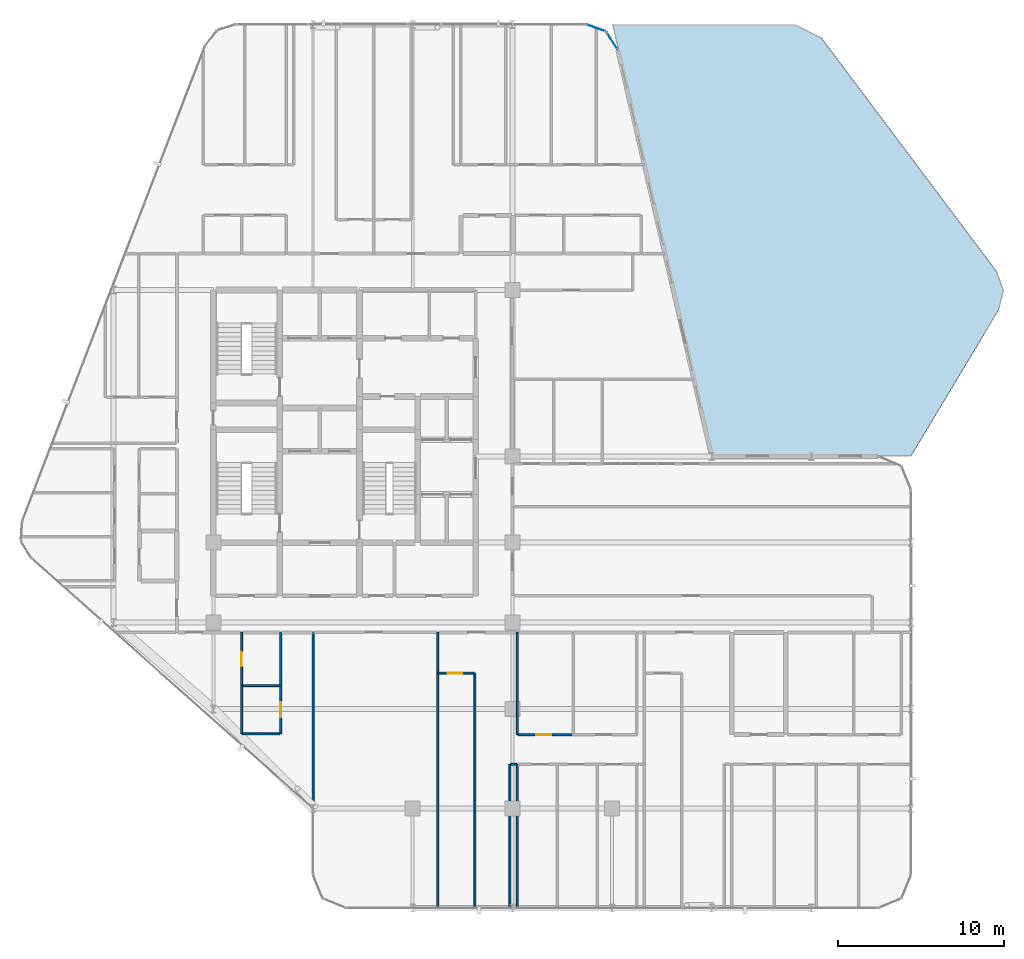
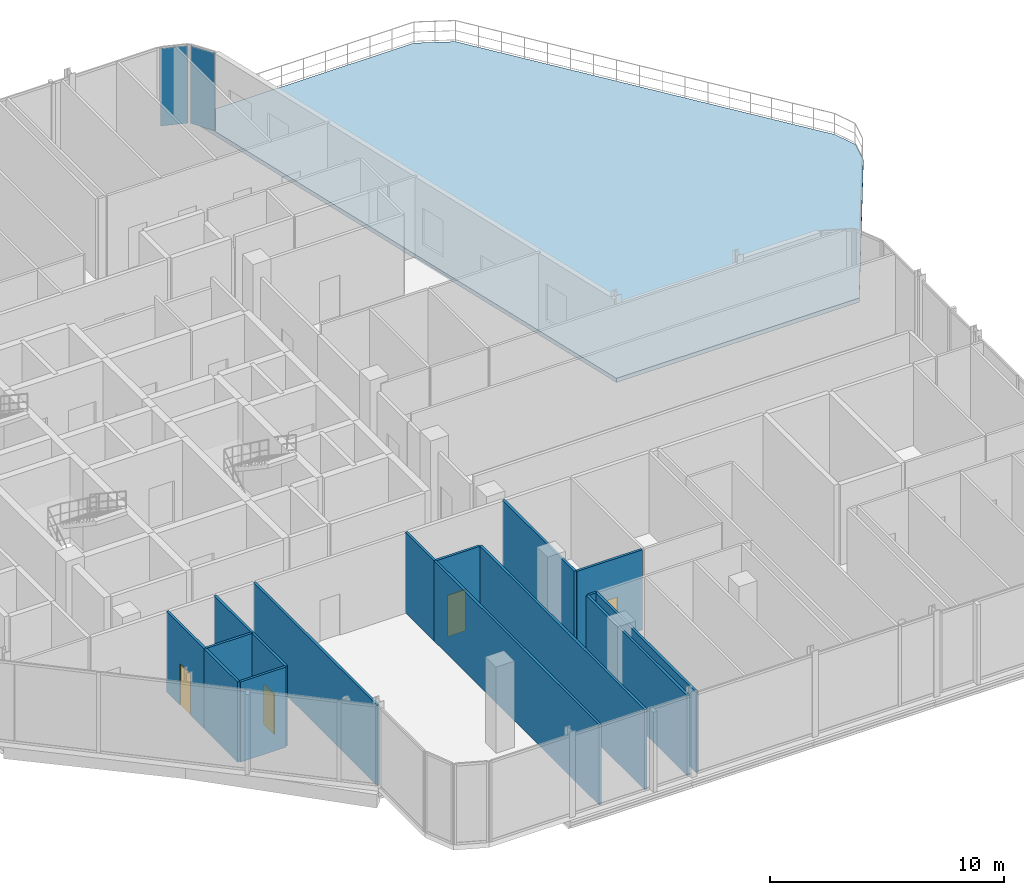
# One storey, part 20 of 28: 16 walls, 4 doors, 2 plates, 1 slab, 4 openings, 2 elements without a shape of their own.
"""IFC4 building model written with IfcOpenShell, lengths in metres."""

import ifcopenshell
import ifcopenshell.guid

model = None  # the IFC model being written
_history = None  # IfcOwnerHistory: only IFC2X3 demands one
_inside = {}  # id of a spatial element -> (the spatial element, [elements in it])
_under = {}  # id of a project, library or spatial element -> (it, [spatial elements below it])
_declared = {}  # id of a project -> (the project, [libraries it declares])
_typed = {}  # id of a type object -> (the type object, [elements of that type])
_made_of = {}  # id of a material, layer set ... -> (it, [elements and type objects made of it])


def new_model(schema):
    """Start an empty IFC model of exactly this schema.

    Asked for "IFC4X3", IfcOpenShell would pick the latest addendum, in which some entities
    have other attributes; the version numbers below select the first issue.
    IFC2X3 requires an IfcOwnerHistory on every rooted entity: one is made here for all.
    """
    global model, _history
    if schema == "IFC4X3":
        model = ifcopenshell.file(schema_version=(4, 3, 0, 0))
    else:
        model = ifcopenshell.file(schema=schema)
    _inside.clear()
    _under.clear()
    _declared.clear()
    _typed.clear()
    _made_of.clear()
    _history = None
    if model.schema == "IFC2X3":
        org = make("IfcOrganization", Name="unknown")
        user = make(
            "IfcPersonAndOrganization",
            ThePerson=make("IfcPerson", FamilyName="unknown"),
            TheOrganization=org,
        )
        app = make(
            "IfcApplication",
            ApplicationDeveloper=org,
            Version="unknown",
            ApplicationFullName="unknown",
            ApplicationIdentifier="unknown",
        )
        _history = make(
            "IfcOwnerHistory",
            OwningUser=user,
            OwningApplication=app,
            ChangeAction="ADDED",
            CreationDate=0,
        )
    return model


def make(cls, **values):
    """One entity of the class cls with the attributes given. An attribute that is None is left unset."""
    return model.create_entity(
        cls, **{name: value for name, value in values.items() if value is not None}
    )


def rooted(cls, **values):
    """An entity with a GlobalId (a new one), such as an element, a storey or a relation."""
    return make(cls, GlobalId=ifcopenshell.guid.new(), OwnerHistory=_history, **values)


def si_unit(unit_type, name, prefix=None):
    """IfcSIUnit, for example si_unit("LENGTHUNIT", "METRE", prefix="MILLI")."""
    return make("IfcSIUnit", UnitType=unit_type, Prefix=prefix, Name=name)


def assignment(units):
    """IfcUnitAssignment: the units of a project."""
    return None if units is None else make("IfcUnitAssignment", Units=units)


def point(xyz):
    """IfcCartesianPoint."""
    return None if xyz is None else make("IfcCartesianPoint", Coordinates=xyz)


def direction(xyz):
    """IfcDirection."""
    return None if xyz is None else make("IfcDirection", DirectionRatios=xyz)


def frame(location, z_axis=None, x_axis=None):
    """IfcAxis2Placement3D, a coordinate frame: its origin and axes. An axis left out is left unset."""
    return make(
        "IfcAxis2Placement3D",
        Location=point(location),
        Axis=direction(z_axis),
        RefDirection=direction(x_axis),
    )


def frame_2d(location, x_axis=None):
    """IfcAxis2Placement2D, a coordinate frame in the plane: its origin and x axis."""
    return make(
        "IfcAxis2Placement2D", Location=point(location), RefDirection=direction(x_axis)
    )


def origin():
    """The frame at (0, 0, 0) with its axes left unset."""
    return frame((0.0, 0.0, 0.0))


def origin_2d():
    """The frame at (0, 0) in the plane with its x axis left unset."""
    return frame_2d((0.0, 0.0))


def place(relative_to, where):
    """IfcLocalPlacement: puts the frame where relative to a parent placement (None: the world)."""
    return make(
        "IfcLocalPlacement", PlacementRelTo=relative_to, RelativePlacement=where
    )


def context(
    kind, dimensions, precision=None, world=None, true_north=None, identifier=None
):
    """IfcGeometricRepresentationContext, for example the 3D "Model" context."""
    return make(
        "IfcGeometricRepresentationContext",
        ContextIdentifier=identifier,
        ContextType=kind,
        CoordinateSpaceDimension=dimensions,
        Precision=precision,
        WorldCoordinateSystem=world,
        TrueNorth=true_north,
    )


def subcontext(parent, identifier, kind, view, scale=None):
    """IfcGeometricRepresentationSubContext, for example "Body" below "Model"."""
    return make(
        "IfcGeometricRepresentationSubContext",
        ContextIdentifier=identifier,
        ContextType=kind,
        ParentContext=parent,
        TargetScale=scale,
        TargetView=view,
    )


def project(units=None, contexts=None):
    """IfcProject with its units and contexts."""
    return rooted(
        "IfcProject",
        Name="project",
        RepresentationContexts=contexts,
        UnitsInContext=assignment(units),
    )


def spatial(cls, under=None, at=None, **own):
    """A site, building, storey or space (cls), placed at a placement, below another one or the project."""
    s = rooted(cls, ObjectPlacement=at, **own)
    if under is not None:
        _under.setdefault(under.id(), (under, []))[1].append(s)
    return s


def polyline(points):
    """IfcPolyline through the points."""
    return make("IfcPolyline", Points=[point(p) for p in points])


def profile(cls, at=None, kind="AREA", **sizes):
    """A parametric profile (cls). Its sizes go by their IFC names, for example OverallWidth=200.0."""
    return make(cls, ProfileType=kind, Position=at, **sizes)


def rectangle(**sizes):
    """IfcRectangleProfileDef."""
    return profile("IfcRectangleProfileDef", **sizes)


def outline(outer, holes=None, kind="AREA"):
    """IfcArbitraryClosedProfileDef: a profile drawn as a closed curve; with holes, ...WithVoids."""
    if holes is None:
        return make("IfcArbitraryClosedProfileDef", ProfileType=kind, OuterCurve=outer)
    return make(
        "IfcArbitraryProfileDefWithVoids",
        ProfileType=kind,
        OuterCurve=outer,
        InnerCurves=holes,
    )


def extrude(swept, where, along, depth):
    """IfcExtrudedAreaSolid: the profile swept, set in the frame where, extruded along a direction by depth."""
    return make(
        "IfcExtrudedAreaSolid",
        SweptArea=swept,
        Position=where,
        ExtrudedDirection=direction(along),
        Depth=depth,
    )


def shape(context_of_items, identifier, shape_type, items):
    """IfcShapeRepresentation: the items that make up one representation, for example the "Body"."""
    return make(
        "IfcShapeRepresentation",
        ContextOfItems=context_of_items,
        RepresentationIdentifier=identifier,
        RepresentationType=shape_type,
        Items=items,
    )


def material(Name=None, Category=None):
    """IfcMaterial."""
    return make("IfcMaterial", Name=Name, Category=Category)


def layer(
    of_material, thickness, ventilated=None, Name=None, Category=None, Priority=None
):
    """IfcMaterialLayer: one layer of a wall or slab, of a material (None: an air gap)."""
    return make(
        "IfcMaterialLayer",
        Material=of_material,
        LayerThickness=thickness,
        IsVentilated=ventilated,
        Name=Name,
        Category=Category,
        Priority=Priority,
    )


def layer_set(layers, Name=None):
    """IfcMaterialLayerSet."""
    return make("IfcMaterialLayerSet", MaterialLayers=layers, LayerSetName=Name)


def made_of(thing, what):
    """Note that an element or type object is made of a material, layer set ...; save() writes the relation."""
    if what is not None:
        _made_of.setdefault(what.id(), (what, []))[1].append(thing)
    return thing


def type_object(cls, material=None, **own):
    """A type object (cls), such as IfcWallType, which elements share."""
    return made_of(rooted(cls, **own), material)


def element(
    cls,
    number,
    at=None,
    inside=None,
    cuts=None,
    type_object=None,
    material=None,
    context=None,
    identifier="Body",
    shape_type=None,
    held_by="IfcProductDefinitionShape",
    body=None,
    shapes=None,
    **own,
):
    """One element of the class cls, such as IfcWall. Its Tag is "e" and its number.

    at: its placement. inside: the storey or other place that contains it. cuts: it is an
    opening in that element (IfcRelVoidsElement). A single representation is given by context,
    identifier, shape_type and body (its items); several are given by shapes. held_by: the class
    of the entity that holds the representations. save() writes the other relations.
    """
    e = rooted(cls, Tag="e%d" % number, ObjectPlacement=at, **own)
    if body is not None:
        shapes = [shape(context, identifier, shape_type, body)]
    if shapes is not None:
        e.Representation = make(held_by, Representations=shapes)
    if inside is not None:
        _inside.setdefault(inside.id(), (inside, []))[1].append(e)
    if cuts is not None:
        rooted(
            "IfcRelVoidsElement", RelatingBuildingElement=cuts, RelatedOpeningElement=e
        )
    if type_object is not None:
        _typed.setdefault(type_object.id(), (type_object, []))[1].append(e)
    return made_of(e, material)


def fill(opening, filler):
    """IfcRelFillsElement: the door or window that sits in an opening."""
    return rooted(
        "IfcRelFillsElement",
        RelatingOpeningElement=opening,
        RelatedBuildingElement=filler,
    )


def aggregate(whole, parts):
    """IfcRelAggregates: a whole, such as a stair, and the parts it consists of."""
    return rooted("IfcRelAggregates", RelatingObject=whole, RelatedObjects=parts)


def save(model, path):
    """Write the relations noted so far, then the file.

    IfcRelAggregates (storeys below a building ...), IfcRelContainedInSpatialStructure (elements
    in a storey), IfcRelDefinesByType, IfcRelAssociatesMaterial and IfcRelDeclares: one each for
    every whole, place, type object, material and project.
    """
    for whole, parts in _under.values():
        aggregate(whole, parts)
    for where, things in _inside.values():
        rooted(
            "IfcRelContainedInSpatialStructure",
            RelatedElements=things,
            RelatingStructure=where,
        )
    for kind, things in _typed.values():
        rooted("IfcRelDefinesByType", RelatedObjects=things, RelatingType=kind)
    for what, things in _made_of.values():
        rooted("IfcRelAssociatesMaterial", RelatedObjects=things, RelatingMaterial=what)
    for by, libraries in _declared.values():
        rooted("IfcRelDeclares", RelatingContext=by, RelatedDefinitions=libraries)
    model.write(path)


model = new_model("IFC4")

# Units and contexts
model_context = context("Model", 3, precision=1e-05, world=origin(), true_north=direction((0.0, 1.0)))
body_context = subcontext(model_context, "Body", "Model", "MODEL_VIEW")
ifc_project = project(units=[si_unit("LENGTHUNIT", "METRE"), si_unit("AREAUNIT", "SQUARE_METRE"), si_unit("VOLUMEUNIT", "CUBIC_METRE"), si_unit("PLANEANGLEUNIT", "RADIAN"), si_unit("MASSUNIT", "GRAM", prefix="KILO")], contexts=[model_context])

# Site, building, storey
site_placement = place(None, origin())
site = spatial("IfcSite", under=ifc_project, at=site_placement, CompositionType="ELEMENT")
building_placement = place(site_placement, origin())
building = spatial("IfcBuilding", under=site, at=building_placement, Name="Keshet Zoharim Tower", CompositionType="ELEMENT")
storey_placement = place(building_placement, frame((0.0, 0.0, 164.60009765625)))
storey = spatial("IfcBuildingStorey", under=building, at=storey_placement, Name="L40", CompositionType="ELEMENT", Elevation=164.60009765625)

# Curtain wall, plate
ifc_material_1 = material(Name="Aluminium 6063-T6", Category="aluminium")
ifc_layer_1 = layer(ifc_material_1, 0.139892578125)
ifc_layer_set_1 = layer_set([ifc_layer_1], Name="Aluminium 6063-T6")
curtain_wall_type = type_object("IfcCurtainWallType", Name="CW-SYS-05", PredefinedType="NOTDEFINED", material=ifc_layer_set_1)
curtain_wall_1_placement = place(storey_placement, origin())
curtain_wall_1 = element("IfcCurtainWall", 1, at=curtain_wall_1_placement, inside=storey, type_object=curtain_wall_type, Name="L40 Unitised Curtain Wall 17", PredefinedType="NOTDEFINED")
ifc_material_2 = material(Name="Insulated Low-E Clear Glass", Category="glass")
ifc_layer_2 = layer(ifc_material_2, 0.031982421875)
ifc_layer_set_2 = layer_set([ifc_layer_2], Name="Insulated Low-E Clear Glass")
plate_type = type_object("IfcPlateType", Name="CWP-02", PredefinedType="CURTAIN_PANEL", material=ifc_layer_set_2)
plate_1_placement = place(storey_placement, frame((38.031494140625, 53.6826171875, 0.06982421875), z_axis=(0.0, 0.0, 1.0), x_axis=(0.944035542119, -0.329843743636, 0.0)))
plate_1 = element("IfcPlate", 2, at=plate_1_placement, type_object=plate_type, Name="CW-05 panel 1.1", PredefinedType="CURTAIN_PANEL", context=body_context, shape_type="SweptSolid", body=[
    extrude(rectangle(XDim=1.1787109375, YDim=0.031982421875, at=origin_2d()), origin(), (0.0, 0.0, 1.0), 4.050048828125),
])
aggregate(curtain_wall_1, [plate_1])

curtain_wall_2_placement = place(storey_placement, origin())
curtain_wall_2 = element("IfcCurtainWall", 3, at=curtain_wall_2_placement, inside=storey, type_object=curtain_wall_type, Name="L40 Unitised Curtain Wall 18", PredefinedType="NOTDEFINED")
plate_2_placement = place(storey_placement, frame((39.006103515625, 52.907470703125, 0.06982421875), z_axis=(0.0, 0.0, 1.0), x_axis=(0.533878858502, -0.845560976183, 0.0)))
plate_2 = element("IfcPlate", 4, at=plate_2_placement, type_object=plate_type, Name="CW-05 panel 1.1", PredefinedType="CURTAIN_PANEL", context=body_context, shape_type="SweptSolid", body=[
    extrude(rectangle(XDim=1.1787109375, YDim=0.031982421875, at=origin_2d()), origin(), (0.0, 0.0, 1.0), 4.050048828125),
])
aggregate(curtain_wall_2, [plate_2])

# Slab
ifc_material_3 = material(Name="Concrete C50/60", Category="concrete")
ifc_layer_3 = layer(ifc_material_3, 0.219970703125)
ifc_layer_set_3 = layer_set([ifc_layer_3], Name="Concrete C50/60")
slab_type = type_object("IfcSlabType", Name="SLB-TER-220", PredefinedType="ROOF", material=ifc_layer_set_3)
slab_placement = place(storey_placement, frame((0.0, 0.0, -0.22021484375)))
element("IfcSlab", 5, at=slab_placement, inside=storey, type_object=slab_type, Name="L40 North-East Tube-C Setback Sky Garden Slab", PredefinedType="ROOF", context=body_context, shape_type="SweptSolid", body=[
    extrude(outline(polyline([(50.0, 53.89990234375), (51.60009765625, 53.10009765625), (58.662109375, 43.68408203125), (62.193115234375, 38.97607421875), (62.590087890625, 37.87890625), (62.30810546875, 36.7470703125), (57.0, 27.89990234375), (55.0, 27.89990234375), (45.0, 27.89990234375), (39.35791015625, 52.35009765625), (39.0, 53.89990234375), (50.0, 53.89990234375)])), origin(), (0.0, 0.0, 1.0), 0.22021484375),
])

# Wall, opening, door
ifc_material_4 = material(Name="Gypsum Plasterboard", Category="gypsum")
ifc_layer_4 = layer(ifc_material_4, 0.1201171875)
ifc_layer_set_4 = layer_set([ifc_layer_4], Name="Gypsum Plasterboard")
wall_type_1 = type_object("IfcWallType", Name="WL-PART-120", PredefinedType="PARTITIONING", material=ifc_layer_set_4)
wall_1_placement = place(storey_placement, frame((16.699951171875, 14.10009765625, 0.0), z_axis=(0.0, 0.0, 1.0), x_axis=(0.0, 1.0, 0.0)))
wall_1 = element("IfcWall", 6, at=wall_1_placement, inside=storey, type_object=wall_type_1, Name="L40 Interior Wall 020", PredefinedType="PARTITIONING", context=body_context, shape_type="SweptSolid", body=[
    extrude(rectangle(XDim=3.199951171875, YDim=0.1201171875, at=frame_2d((1.60009765625, 0.0))), origin(), (0.0, 0.0, 1.0), 4.18994140625),
])
opening_1_placement = place(wall_1_placement, frame((1.14990234375, 0.0, 0.0)))
opening_1 = element("IfcOpeningElement", 7, at=opening_1_placement, cuts=wall_1, Name="Opening D-IN90", PredefinedType="OPENING", context=body_context, shape_type="SweptSolid", body=[
    extrude(rectangle(XDim=0.89990234375, YDim=2.14990234375, at=frame_2d((0.449951171875, 1.074951171875))), frame((0.0, 0.070068359375, 0.0), z_axis=(0.0, -1.0, 0.0), x_axis=(1.0, 0.0, 0.0)), (0.0, 0.0, 1.0), 0.14013671875),
])
ifc_material_5 = material(Name="Hardwood Timber", Category="wood")
door_type_1 = type_object("IfcDoorType", Name="DR-INT-090", OperationType="NOTDEFINED", PredefinedType="DOOR", material=ifc_material_5)
door_1_placement = place(opening_1_placement, origin())
door_1 = element("IfcDoor", 8, at=door_1_placement, inside=storey, type_object=door_type_1, Name="Apartment 4001 Kitchenette Door", OperationType="SINGLE_SWING_LEFT", OverallHeight=2.14990234375, OverallWidth=0.89990234375, PredefinedType="DOOR", context=body_context, shape_type="SweptSolid", body=[
    extrude(rectangle(XDim=0.89990234375, YDim=2.14990234375, at=frame_2d((0.449951171875, 1.074951171875))), frame((0.0, 0.02490234375, 0.0), z_axis=(0.0, -1.0, 0.0), x_axis=(1.0, 0.0, 0.0)), (0.0, 0.0, 1.0), 0.050048828125),
])
fill(opening_1, door_1)

# Walls
wall_2_placement = place(storey_placement, frame((19.050048828125, 14.10009765625, 0.0), z_axis=(0.0, 0.0, 1.0), x_axis=(0.0, 1.0, 0.0)))
element("IfcWall", 9, at=wall_2_placement, inside=storey, type_object=wall_type_1, Name="L40 Interior Wall 029", PredefinedType="PARTITIONING", context=body_context, shape_type="SweptSolid", body=[
    extrude(rectangle(XDim=3.199951171875, YDim=0.1201171875, at=frame_2d((1.60009765625, 0.0))), origin(), (0.0, 0.0, 1.0), 4.18994140625),
])
wall_3_placement = place(storey_placement, frame((21.0, 6.7099609375, 0.0), z_axis=(0.0, 0.0, 1.0), x_axis=(0.0, 1.0, 0.0)))
element("IfcWall", 10, at=wall_3_placement, inside=storey, type_object=wall_type_1, Name="L40 Interior Wall 033", PredefinedType="PARTITIONING", context=body_context, shape_type="SweptSolid", body=[
    extrude(rectangle(XDim=10.590087890625, YDim=0.1201171875, at=frame_2d((5.294921875, 0.0))), origin(), (0.0, 0.0, 1.0), 4.18994140625),
])
wall_4_placement = place(storey_placement, frame((28.5, 0.7099609375, 0.0), z_axis=(0.0, 0.0, 1.0), x_axis=(0.0, 1.0, 0.0)))
element("IfcWall", 11, at=wall_4_placement, inside=storey, type_object=wall_type_1, Name="L40 Interior Wall 053", PredefinedType="PARTITIONING", context=body_context, shape_type="SweptSolid", body=[
    extrude(rectangle(XDim=14.14013671875, YDim=0.1201171875, at=frame_2d((7.070068359375, 0.0))), origin(), (0.0, 0.0, 1.0), 4.18994140625),
])
wall_5_placement = place(storey_placement, frame((28.5, 14.85009765625, 0.0), z_axis=(0.0, 0.0, 1.0), x_axis=(0.0, 1.0, 0.0)))
element("IfcWall", 12, at=wall_5_placement, inside=storey, type_object=wall_type_1, Name="L40 Interior Wall 054", PredefinedType="PARTITIONING", context=body_context, shape_type="SweptSolid", body=[
    extrude(rectangle(XDim=2.449951171875, YDim=0.1201171875, at=frame_2d((1.22509765625, 0.0))), origin(), (0.0, 0.0, 1.0), 4.18994140625),
])
wall_6_placement = place(storey_placement, frame((30.75, 0.7099609375, 0.0), z_axis=(0.0, 0.0, 1.0), x_axis=(0.0, 1.0, 0.0)))
element("IfcWall", 13, at=wall_6_placement, inside=storey, type_object=wall_type_1, Name="L40 Interior Wall 060", PredefinedType="PARTITIONING", context=body_context, shape_type="SweptSolid", body=[
    extrude(rectangle(XDim=14.14013671875, YDim=0.1201171875, at=frame_2d((7.070068359375, 0.0))), origin(), (0.0, 0.0, 1.0), 4.18994140625),
])
for number, where, z_axis, x_axis, name in (
    (14, (32.85009765625, 0.7099609375, 0.0), (0.0, 0.0, 1.0), (0.0, 1.0, 0.0), "L40 Interior Wall 068"),
    (15, (33.300048828125, 0.7099609375, 0.0), (0.0, 0.0, 1.0), (0.0, 1.0, 0.0), "L40 Interior Wall 074"),
):
    element("IfcWall", number, at=place(storey_placement, frame(where, z_axis=z_axis, x_axis=x_axis)), inside=storey, type_object=wall_type_1, Name=name, PredefinedType="PARTITIONING", context=body_context, shape_type="SweptSolid", body=[
        extrude(rectangle(XDim=8.64013671875, YDim=0.1201171875, at=frame_2d((4.320068359375, 0.0))), origin(), (0.0, 0.0, 1.0), 4.18994140625),
    ])
wall_7_placement = place(storey_placement, frame((33.300048828125, 11.14990234375, 0.0), z_axis=(0.0, 0.0, 1.0), x_axis=(0.0, 1.0, 0.0)))
element("IfcWall", 16, at=wall_7_placement, inside=storey, type_object=wall_type_1, Name="L40 Interior Wall 075", PredefinedType="PARTITIONING", context=body_context, shape_type="SweptSolid", body=[
    extrude(rectangle(XDim=6.150146484375, YDim=0.1201171875, at=frame_2d((3.0751953125, 0.0))), origin(), (0.0, 0.0, 1.0), 4.18994140625),
])
wall_8_placement = place(storey_placement, frame((32.905029296875, 9.35009765625, 0.0), z_axis=(0.0, 0.0, 1.0), x_axis=(1.0, 0.0, 0.0)))
element("IfcWall", 17, at=wall_8_placement, inside=storey, type_object=wall_type_1, Name="L40 Interior Wall 102", PredefinedType="PARTITIONING", context=body_context, shape_type="SweptSolid", body=[
    extrude(rectangle(XDim=0.35986328125, YDim=0.1201171875, at=frame_2d((0.179931640625, 0.0))), origin(), (0.0, 0.0, 1.0), 4.18994140625),
])

# Wall, opening, door
wall_9_placement = place(storey_placement, frame((33.35498046875, 11.14990234375, 0.0), z_axis=(0.0, 0.0, 1.0), x_axis=(1.0, 0.0, 0.0)))
wall_9 = element("IfcWall", 18, at=wall_9_placement, inside=storey, type_object=wall_type_1, Name="L40 Interior Wall 107", PredefinedType="PARTITIONING", context=body_context, shape_type="SweptSolid", body=[
    extrude(rectangle(XDim=3.22705078125, YDim=0.1201171875, at=frame_2d((1.613525390625, 0.0))), origin(), (0.0, 0.0, 1.0), 4.18994140625),
])
opening_2_placement = place(wall_9_placement, frame((1.090087890625, 0.0, 0.0)))
opening_2 = element("IfcOpeningElement", 19, at=opening_2_placement, cuts=wall_9, Name="Opening D-IN90", PredefinedType="OPENING", context=body_context, shape_type="SweptSolid", body=[
    extrude(rectangle(XDim=0.89990234375, YDim=2.14990234375, at=frame_2d((0.449951171875, 1.074951171875))), frame((0.0, 0.070068359375, 0.0), z_axis=(0.0, -1.0, 0.0), x_axis=(1.0, 0.0, 0.0)), (0.0, 0.0, 1.0), 0.14013671875),
])
door_2_placement = place(opening_2_placement, origin())
door_2 = element("IfcDoor", 20, at=door_2_placement, inside=storey, type_object=door_type_1, Name="Apartment 4002 Kitchen Door", OperationType="SINGLE_SWING_LEFT", OverallHeight=2.14990234375, OverallWidth=0.89990234375, PredefinedType="DOOR", context=body_context, shape_type="SweptSolid", body=[
    extrude(rectangle(XDim=0.89990234375, YDim=2.14990234375, at=frame_2d((0.449951171875, 1.074951171875))), frame((0.0, 0.02490234375, 0.0), z_axis=(0.0, -1.0, 0.0), x_axis=(1.0, 0.0, 0.0)), (0.0, 0.0, 1.0), 0.050048828125),
])
fill(opening_2, door_2)

wall_10_placement = place(storey_placement, frame((28.544921875, 14.85009765625, 0.0), z_axis=(0.0, 0.0, 1.0), x_axis=(1.0, 0.0, 0.0)))
wall_10 = element("IfcWall", 21, at=wall_10_placement, inside=storey, type_object=wall_type_1, Name="L40 Interior Wall 114", PredefinedType="PARTITIONING", context=body_context, shape_type="SweptSolid", body=[
    extrude(rectangle(XDim=2.16015625, YDim=0.1201171875, at=frame_2d((1.080078125, 0.0))), origin(), (0.0, 0.0, 1.0), 4.18994140625),
])
opening_3_placement = place(wall_10_placement, frame((0.552978515625, 0.0, 0.0)))
opening_3 = element("IfcOpeningElement", 22, at=opening_3_placement, cuts=wall_10, Name="Opening D-IN90", PredefinedType="OPENING", context=body_context, shape_type="SweptSolid", body=[
    extrude(rectangle(XDim=0.89990234375, YDim=2.14990234375, at=frame_2d((0.449951171875, 1.074951171875))), frame((0.0, 0.070068359375, 0.0), z_axis=(0.0, -1.0, 0.0), x_axis=(1.0, 0.0, 0.0)), (0.0, 0.0, 1.0), 0.14013671875),
])
door_3_placement = place(opening_3_placement, origin())
door_3 = element("IfcDoor", 23, at=door_3_placement, inside=storey, type_object=door_type_1, Name="Apartment 4002 Formal Dining Room Door", OperationType="SINGLE_SWING_RIGHT", OverallHeight=2.14990234375, OverallWidth=0.89990234375, PredefinedType="DOOR", context=body_context, shape_type="SweptSolid", body=[
    extrude(rectangle(XDim=0.89990234375, YDim=2.14990234375, at=frame_2d((0.449951171875, 1.074951171875))), frame((0.0, 0.02490234375, 0.0), z_axis=(0.0, -1.0, 0.0), x_axis=(1.0, 0.0, 0.0)), (0.0, 0.0, 1.0), 0.050048828125),
])
fill(opening_3, door_3)

# Wall
ifc_layer_5 = layer(ifc_material_4, 0.1201171875)
ifc_layer_set_5 = layer_set([ifc_layer_5], Name="Gypsum Plasterboard")
wall_type_2 = type_object("IfcWallType", Name="WL-WET-120", PredefinedType="PARTITIONING", material=ifc_layer_set_5)
wall_11_placement = place(storey_placement, frame((16.699951171875, 11.199951171875, 0.0), z_axis=(0.0, 0.0, 1.0), x_axis=(0.0, 1.0, 0.0)))
element("IfcWall", 24, at=wall_11_placement, inside=storey, type_object=wall_type_2, Name="L40 Interior Wall 019", PredefinedType="PARTITIONING", context=body_context, shape_type="SweptSolid", body=[
    extrude(rectangle(XDim=2.900146484375, YDim=0.1201171875, at=frame_2d((1.4501953125, 0.0))), origin(), (0.0, 0.0, 1.0), 4.18994140625),
])

# Wall, opening, door
wall_12_placement = place(storey_placement, frame((19.050048828125, 11.199951171875, 0.0), z_axis=(0.0, 0.0, 1.0), x_axis=(0.0, 1.0, 0.0)))
wall_12 = element("IfcWall", 25, at=wall_12_placement, inside=storey, type_object=wall_type_2, Name="L40 Interior Wall 028", PredefinedType="PARTITIONING", context=body_context, shape_type="SweptSolid", body=[
    extrude(rectangle(XDim=2.900146484375, YDim=0.1201171875, at=frame_2d((1.4501953125, 0.0))), origin(), (0.0, 0.0, 1.0), 4.18994140625),
])
opening_4_placement = place(wall_12_placement, frame((1.0, 0.0, 0.0)))
opening_4 = element("IfcOpeningElement", 26, at=opening_4_placement, cuts=wall_12, Name="Opening D-WT90", PredefinedType="OPENING", context=body_context, shape_type="SweptSolid", body=[
    extrude(rectangle(XDim=0.89990234375, YDim=2.10009765625, at=frame_2d((0.449951171875, 1.050048828125))), frame((0.0, 0.070068359375, 0.0), z_axis=(0.0, -1.0, 0.0), x_axis=(1.0, 0.0, 0.0)), (0.0, 0.0, 1.0), 0.14013671875),
])
door_type_2 = type_object("IfcDoorType", Name="DR-WET-090", OperationType="NOTDEFINED", PredefinedType="DOOR", material=ifc_material_5)
door_4_placement = place(opening_4_placement, origin())
door_4 = element("IfcDoor", 27, at=door_4_placement, inside=storey, type_object=door_type_2, Name="Apartment 4001 Bathroom Door", OperationType="SINGLE_SWING_RIGHT", OverallHeight=2.10009765625, OverallWidth=0.89990234375, PredefinedType="DOOR", context=body_context, shape_type="SweptSolid", body=[
    extrude(rectangle(XDim=0.89990234375, YDim=2.10009765625, at=frame_2d((0.449951171875, 1.050048828125))), frame((0.0, 0.02490234375, 0.0), z_axis=(0.0, -1.0, 0.0), x_axis=(1.0, 0.0, 0.0)), (0.0, 0.0, 1.0), 0.050048828125),
])
fill(opening_4, door_4)

# Walls
for number, where, z_axis, x_axis, name in (
    (28, (16.7451171875, 11.199951171875, 0.0), (0.0, 0.0, 1.0), (1.0, 0.0, 0.0), "L40 Interior Wall 112"),
    (29, (16.7451171875, 14.10009765625, 0.0), (0.0, 0.0, 1.0), (1.0, 0.0, 0.0), "L40 Interior Wall 113"),
):
    element("IfcWall", number, at=place(storey_placement, frame(where, z_axis=z_axis, x_axis=x_axis)), inside=storey, type_object=wall_type_2, Name=name, PredefinedType="PARTITIONING", context=body_context, shape_type="SweptSolid", body=[
        extrude(rectangle(XDim=2.259765625, YDim=0.1201171875, at=frame_2d((1.1298828125, 0.0))), origin(), (0.0, 0.0, 1.0), 4.18994140625),
    ])

save(model, "model.ifc")
